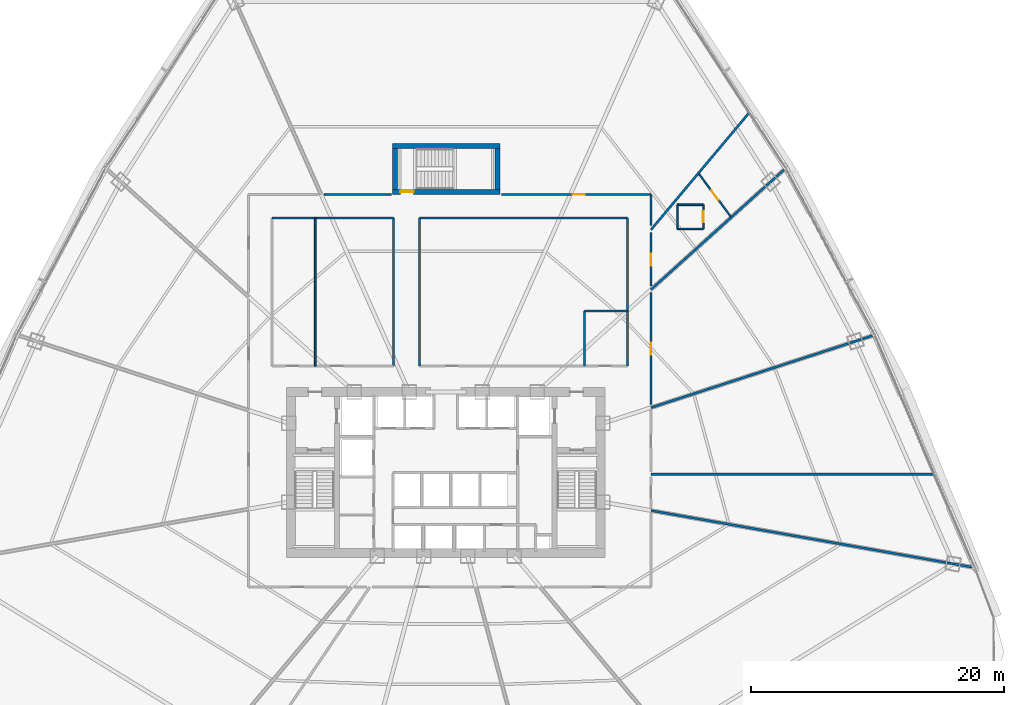
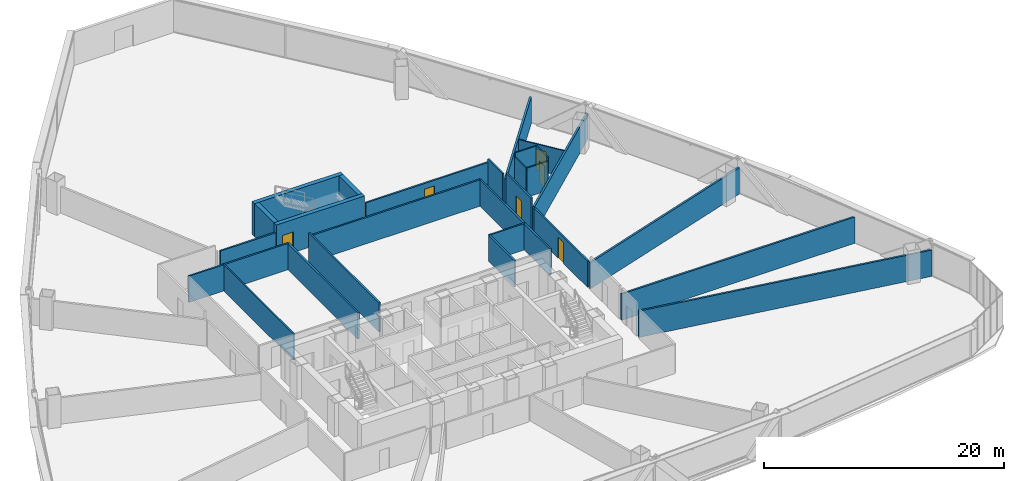
# One storey, part 37 of 42: 27 walls, 6 doors, 6 openings.
"""IFC4 building model written with IfcOpenShell, lengths in metres."""

import ifcopenshell
import ifcopenshell.guid

model = None  # the IFC model being written
_history = None  # IfcOwnerHistory: only IFC2X3 demands one
_inside = {}  # id of a spatial element -> (the spatial element, [elements in it])
_under = {}  # id of a project, library or spatial element -> (it, [spatial elements below it])
_declared = {}  # id of a project -> (the project, [libraries it declares])
_typed = {}  # id of a type object -> (the type object, [elements of that type])
_made_of = {}  # id of a material, layer set ... -> (it, [elements and type objects made of it])


def new_model(schema):
    """Start an empty IFC model of exactly this schema.

    Asked for "IFC4X3", IfcOpenShell would pick the latest addendum, in which some entities
    have other attributes; the version numbers below select the first issue.
    IFC2X3 requires an IfcOwnerHistory on every rooted entity: one is made here for all.
    """
    global model, _history
    if schema == "IFC4X3":
        model = ifcopenshell.file(schema_version=(4, 3, 0, 0))
    else:
        model = ifcopenshell.file(schema=schema)
    _inside.clear()
    _under.clear()
    _declared.clear()
    _typed.clear()
    _made_of.clear()
    _history = None
    if model.schema == "IFC2X3":
        org = make("IfcOrganization", Name="unknown")
        user = make(
            "IfcPersonAndOrganization",
            ThePerson=make("IfcPerson", FamilyName="unknown"),
            TheOrganization=org,
        )
        app = make(
            "IfcApplication",
            ApplicationDeveloper=org,
            Version="unknown",
            ApplicationFullName="unknown",
            ApplicationIdentifier="unknown",
        )
        _history = make(
            "IfcOwnerHistory",
            OwningUser=user,
            OwningApplication=app,
            ChangeAction="ADDED",
            CreationDate=0,
        )
    return model


def make(cls, **values):
    """One entity of the class cls with the attributes given. An attribute that is None is left unset."""
    return model.create_entity(
        cls, **{name: value for name, value in values.items() if value is not None}
    )


def rooted(cls, **values):
    """An entity with a GlobalId (a new one), such as an element, a storey or a relation."""
    return make(cls, GlobalId=ifcopenshell.guid.new(), OwnerHistory=_history, **values)


def si_unit(unit_type, name, prefix=None):
    """IfcSIUnit, for example si_unit("LENGTHUNIT", "METRE", prefix="MILLI")."""
    return make("IfcSIUnit", UnitType=unit_type, Prefix=prefix, Name=name)


def assignment(units):
    """IfcUnitAssignment: the units of a project."""
    return None if units is None else make("IfcUnitAssignment", Units=units)


def point(xyz):
    """IfcCartesianPoint."""
    return None if xyz is None else make("IfcCartesianPoint", Coordinates=xyz)


def direction(xyz):
    """IfcDirection."""
    return None if xyz is None else make("IfcDirection", DirectionRatios=xyz)


def frame(location, z_axis=None, x_axis=None):
    """IfcAxis2Placement3D, a coordinate frame: its origin and axes. An axis left out is left unset."""
    return make(
        "IfcAxis2Placement3D",
        Location=point(location),
        Axis=direction(z_axis),
        RefDirection=direction(x_axis),
    )


def frame_2d(location, x_axis=None):
    """IfcAxis2Placement2D, a coordinate frame in the plane: its origin and x axis."""
    return make(
        "IfcAxis2Placement2D", Location=point(location), RefDirection=direction(x_axis)
    )


def origin():
    """The frame at (0, 0, 0) with its axes left unset."""
    return frame((0.0, 0.0, 0.0))


def origin_with_axes():
    """The frame at (0, 0, 0) with the z axis (0, 0, 1) and the x axis (1, 0, 0) written out."""
    return frame((0.0, 0.0, 0.0), z_axis=(0.0, 0.0, 1.0), x_axis=(1.0, 0.0, 0.0))


def place(relative_to, where):
    """IfcLocalPlacement: puts the frame where relative to a parent placement (None: the world)."""
    return make(
        "IfcLocalPlacement", PlacementRelTo=relative_to, RelativePlacement=where
    )


def context(
    kind, dimensions, precision=None, world=None, true_north=None, identifier=None
):
    """IfcGeometricRepresentationContext, for example the 3D "Model" context."""
    return make(
        "IfcGeometricRepresentationContext",
        ContextIdentifier=identifier,
        ContextType=kind,
        CoordinateSpaceDimension=dimensions,
        Precision=precision,
        WorldCoordinateSystem=world,
        TrueNorth=true_north,
    )


def subcontext(parent, identifier, kind, view, scale=None):
    """IfcGeometricRepresentationSubContext, for example "Body" below "Model"."""
    return make(
        "IfcGeometricRepresentationSubContext",
        ContextIdentifier=identifier,
        ContextType=kind,
        ParentContext=parent,
        TargetScale=scale,
        TargetView=view,
    )


def project(units=None, contexts=None):
    """IfcProject with its units and contexts."""
    return rooted(
        "IfcProject",
        Name="project",
        RepresentationContexts=contexts,
        UnitsInContext=assignment(units),
    )


def spatial(cls, under=None, at=None, **own):
    """A site, building, storey or space (cls), placed at a placement, below another one or the project."""
    s = rooted(cls, ObjectPlacement=at, **own)
    if under is not None:
        _under.setdefault(under.id(), (under, []))[1].append(s)
    return s


def profile(cls, at=None, kind="AREA", **sizes):
    """A parametric profile (cls). Its sizes go by their IFC names, for example OverallWidth=200.0."""
    return make(cls, ProfileType=kind, Position=at, **sizes)


def rectangle(**sizes):
    """IfcRectangleProfileDef."""
    return profile("IfcRectangleProfileDef", **sizes)


def extrude(swept, where, along, depth):
    """IfcExtrudedAreaSolid: the profile swept, set in the frame where, extruded along a direction by depth."""
    return make(
        "IfcExtrudedAreaSolid",
        SweptArea=swept,
        Position=where,
        ExtrudedDirection=direction(along),
        Depth=depth,
    )


def shape(context_of_items, identifier, shape_type, items):
    """IfcShapeRepresentation: the items that make up one representation, for example the "Body"."""
    return make(
        "IfcShapeRepresentation",
        ContextOfItems=context_of_items,
        RepresentationIdentifier=identifier,
        RepresentationType=shape_type,
        Items=items,
    )


def source(mapping_origin, context_of_items, identifier, shape_type, items):
    """IfcRepresentationMap: a shape defined once, which mapped items show again and again."""
    return make(
        "IfcRepresentationMap",
        MappingOrigin=mapping_origin,
        MappedRepresentation=shape(context_of_items, identifier, shape_type, items),
    )


def transform(
    local_origin,
    x_axis=None,
    y_axis=None,
    z_axis=None,
    scale=None,
    scale2=None,
    scale3=None,
    uniform=True,
):
    """IfcCartesianTransformationOperator3D, or its non-uniform kind. x_axis, y_axis, z_axis: its Axis1, 2, 3."""
    if uniform:
        return make(
            "IfcCartesianTransformationOperator3D",
            Axis1=direction(x_axis),
            Axis2=direction(y_axis),
            LocalOrigin=point(local_origin),
            Scale=scale,
            Axis3=direction(z_axis),
        )
    return make(
        "IfcCartesianTransformationOperator3DnonUniform",
        Axis1=direction(x_axis),
        Axis2=direction(y_axis),
        LocalOrigin=point(local_origin),
        Scale=scale,
        Axis3=direction(z_axis),
        Scale2=scale2,
        Scale3=scale3,
    )


def mapped(mapping_source, mapping_target):
    """IfcMappedItem: shows the shape of a source again, moved by a transform."""
    return make(
        "IfcMappedItem", MappingSource=mapping_source, MappingTarget=mapping_target
    )


def material(Name=None, Category=None):
    """IfcMaterial."""
    return make("IfcMaterial", Name=Name, Category=Category)


def layer(
    of_material, thickness, ventilated=None, Name=None, Category=None, Priority=None
):
    """IfcMaterialLayer: one layer of a wall or slab, of a material (None: an air gap)."""
    return make(
        "IfcMaterialLayer",
        Material=of_material,
        LayerThickness=thickness,
        IsVentilated=ventilated,
        Name=Name,
        Category=Category,
        Priority=Priority,
    )


def layer_set(layers, Name=None):
    """IfcMaterialLayerSet."""
    return make("IfcMaterialLayerSet", MaterialLayers=layers, LayerSetName=Name)


def made_of(thing, what):
    """Note that an element or type object is made of a material, layer set ...; save() writes the relation."""
    if what is not None:
        _made_of.setdefault(what.id(), (what, []))[1].append(thing)
    return thing


def type_object(cls, material=None, **own):
    """A type object (cls), such as IfcWallType, which elements share."""
    return made_of(rooted(cls, **own), material)


def element(
    cls,
    number,
    at=None,
    inside=None,
    cuts=None,
    type_object=None,
    material=None,
    context=None,
    identifier="Body",
    shape_type=None,
    held_by="IfcProductDefinitionShape",
    body=None,
    shapes=None,
    **own,
):
    """One element of the class cls, such as IfcWall. Its Tag is "e" and its number.

    at: its placement. inside: the storey or other place that contains it. cuts: it is an
    opening in that element (IfcRelVoidsElement). A single representation is given by context,
    identifier, shape_type and body (its items); several are given by shapes. held_by: the class
    of the entity that holds the representations. save() writes the other relations.
    """
    e = rooted(cls, Tag="e%d" % number, ObjectPlacement=at, **own)
    if body is not None:
        shapes = [shape(context, identifier, shape_type, body)]
    if shapes is not None:
        e.Representation = make(held_by, Representations=shapes)
    if inside is not None:
        _inside.setdefault(inside.id(), (inside, []))[1].append(e)
    if cuts is not None:
        rooted(
            "IfcRelVoidsElement", RelatingBuildingElement=cuts, RelatedOpeningElement=e
        )
    if type_object is not None:
        _typed.setdefault(type_object.id(), (type_object, []))[1].append(e)
    return made_of(e, material)


def fill(opening, filler):
    """IfcRelFillsElement: the door or window that sits in an opening."""
    return rooted(
        "IfcRelFillsElement",
        RelatingOpeningElement=opening,
        RelatedBuildingElement=filler,
    )


def aggregate(whole, parts):
    """IfcRelAggregates: a whole, such as a stair, and the parts it consists of."""
    return rooted("IfcRelAggregates", RelatingObject=whole, RelatedObjects=parts)


def save(model, path):
    """Write the relations noted so far, then the file.

    IfcRelAggregates (storeys below a building ...), IfcRelContainedInSpatialStructure (elements
    in a storey), IfcRelDefinesByType, IfcRelAssociatesMaterial and IfcRelDeclares: one each for
    every whole, place, type object, material and project.
    """
    for whole, parts in _under.values():
        aggregate(whole, parts)
    for where, things in _inside.values():
        rooted(
            "IfcRelContainedInSpatialStructure",
            RelatedElements=things,
            RelatingStructure=where,
        )
    for kind, things in _typed.values():
        rooted("IfcRelDefinesByType", RelatedObjects=things, RelatingType=kind)
    for what, things in _made_of.values():
        rooted("IfcRelAssociatesMaterial", RelatedObjects=things, RelatingMaterial=what)
    for by, libraries in _declared.values():
        rooted("IfcRelDeclares", RelatingContext=by, RelatedDefinitions=libraries)
    model.write(path)


model = new_model("IFC4")

# Units and contexts
model_context = context("Model", 3, precision=1e-05, world=origin(), true_north=direction((0.0, 1.0)))
body_context = subcontext(model_context, "Body", "Model", "MODEL_VIEW")
ifc_project = project(units=[si_unit("LENGTHUNIT", "METRE"), si_unit("AREAUNIT", "SQUARE_METRE"), si_unit("VOLUMEUNIT", "CUBIC_METRE"), si_unit("PLANEANGLEUNIT", "RADIAN"), si_unit("MASSUNIT", "GRAM", prefix="KILO"), si_unit("THERMODYNAMICTEMPERATUREUNIT", "KELVIN"), si_unit("POWERUNIT", "WATT")], contexts=[model_context])

# Site, building, storey
site_placement = place(None, origin())
site = spatial("IfcSite", under=ifc_project, at=site_placement, CompositionType="ELEMENT")
building_placement = place(site_placement, origin())
building = spatial("IfcBuilding", under=site, at=building_placement, Name="Yunzhuo Pagoda Commons", CompositionType="ELEMENT")
storey_placement = place(building_placement, frame((0.0, 0.0, 44.919921875)))
storey = spatial("IfcBuildingStorey", under=building, at=storey_placement, Name="L11", CompositionType="ELEMENT", Elevation=44.919921875)

# Walls
ifc_material_1 = material(Name="Gypsum plasterboard on acoustic stud")
ifc_layer_1 = layer(ifc_material_1, 0.159912109375)
ifc_layer_set_1 = layer_set([ifc_layer_1], Name="Gypsum plasterboard on acoustic stud")
wall_type_1 = type_object("IfcWallType", Name="W-COR1 Tower Rated Corridor Wall 160", PredefinedType="PARTITIONING", material=ifc_layer_set_1)
wall_1_placement = place(storey_placement, frame((34.300048828125, 53.949951171875, 0.0), z_axis=(0.0, 0.0, 1.0), x_axis=(1.0, 0.0, 0.0)))
element("IfcWall", 1, at=wall_1_placement, inside=storey, type_object=wall_type_1, Name="L11 interior wall IW-L11-ISLWN", PredefinedType="PARTITIONING", context=body_context, shape_type="SweptSolid", body=[
    extrude(rectangle(XDim=9.579833984375, YDim=0.159912109375, at=frame_2d((4.7900390625, 0.0))), origin(), (0.0, 0.0, 1.0), 2.670166015625),
])
wall_2_placement = place(storey_placement, frame((43.8798828125, 42.25, 0.0), z_axis=(0.0, 0.0, 1.0), x_axis=(0.0, 1.0, 0.0)))
element("IfcWall", 2, at=wall_2_placement, inside=storey, type_object=wall_type_1, Name="L11 interior wall IW-L11-ISLWE", PredefinedType="PARTITIONING", context=body_context, shape_type="SweptSolid", body=[
    extrude(rectangle(XDim=11.699951171875, YDim=0.159912109375, at=frame_2d((5.85009765625, 0.0))), origin(), (0.0, 0.0, 1.0), 2.670166015625),
])
wall_3_placement = place(storey_placement, frame((45.919921875, 53.949951171875, 0.0), z_axis=(0.0, 0.0, 1.0), x_axis=(1.0, 0.0, 0.0)))
element("IfcWall", 3, at=wall_3_placement, inside=storey, type_object=wall_type_1, Name="L11 interior wall IW-L11-ISLEN", PredefinedType="PARTITIONING", context=body_context, shape_type="SweptSolid", body=[
    extrude(rectangle(XDim=16.43017578125, YDim=0.159912109375, at=frame_2d((8.215087890625, 0.0))), origin(), (0.0, 0.0, 1.0), 2.670166015625),
])
wall_4_placement = place(storey_placement, frame((45.919921875, 42.25, 0.0), z_axis=(0.0, 0.0, 1.0), x_axis=(0.0, 1.0, 0.0)))
element("IfcWall", 4, at=wall_4_placement, inside=storey, type_object=wall_type_1, Name="L11 interior wall IW-L11-ISLEW", PredefinedType="PARTITIONING", context=body_context, shape_type="SweptSolid", body=[
    extrude(rectangle(XDim=11.699951171875, YDim=0.159912109375, at=frame_2d((5.85009765625, 0.0))), origin(), (0.0, 0.0, 1.0), 2.969970703125),
])
wall_5_placement = place(storey_placement, frame((62.35009765625, 42.25, 0.0), z_axis=(0.0, 0.0, 1.0), x_axis=(0.0, 1.0, 0.0)))
element("IfcWall", 5, at=wall_5_placement, inside=storey, type_object=wall_type_1, Name="L11 interior wall IW-L11-ISLEE", PredefinedType="PARTITIONING", context=body_context, shape_type="SweptSolid", body=[
    extrude(rectangle(XDim=11.699951171875, YDim=0.159912109375, at=frame_2d((5.85009765625, 0.0))), origin(), (0.0, 0.0, 1.0), 2.670166015625),
])
wall_6_placement = place(storey_placement, frame((58.949951171875, 42.25, 0.0), z_axis=(0.0, 0.0, 1.0), x_axis=(0.0, 1.0, 0.0)))
element("IfcWall", 6, at=wall_6_placement, inside=storey, type_object=wall_type_1, Name="L11 interior wall IW-L11-ISL2W", PredefinedType="PARTITIONING", context=body_context, shape_type="SweptSolid", body=[
    extrude(rectangle(XDim=4.35009765625, YDim=0.159912109375, at=frame_2d((2.175048828125, 0.0))), origin(), (0.0, 0.0, 1.0), 2.670166015625),
])
wall_7_placement = place(storey_placement, frame((58.949951171875, 46.60009765625, 0.0), z_axis=(0.0, 0.0, 1.0), x_axis=(1.0, 0.0, 0.0)))
element("IfcWall", 7, at=wall_7_placement, inside=storey, type_object=wall_type_1, Name="L11 interior wall IW-L11-ISL2N", PredefinedType="PARTITIONING", context=body_context, shape_type="SweptSolid", body=[
    extrude(rectangle(XDim=3.400146484375, YDim=0.159912109375, at=frame_2d((1.7001953125, 0.0))), origin(), (0.0, 0.0, 1.0), 2.670166015625),
])
wall_8_placement = place(storey_placement, frame((38.380126953125, 55.800048828125, 0.0), z_axis=(0.0, 0.0, 1.0), x_axis=(1.0, 0.0, 0.0)))
element("IfcWall", 8, at=wall_8_placement, inside=storey, type_object=wall_type_1, Name="L11 interior wall IW-L11-CWL06", PredefinedType="PARTITIONING", context=body_context, shape_type="SweptSolid", body=[
    extrude(rectangle(XDim=5.328857421875, YDim=0.159912109375, at=frame_2d((2.66455078125, 0.0))), origin(), (0.0, 0.0, 1.0), 2.670166015625),
])

# Wall, opening, door
wall_9_placement = place(storey_placement, frame((52.39111328125, 55.800048828125, 0.0), z_axis=(0.0, 0.0, 1.0), x_axis=(1.0, 0.0, 0.0)))
wall_9 = element("IfcWall", 9, at=wall_9_placement, inside=storey, type_object=wall_type_1, Name="L11 interior wall IW-L11-CWL07", PredefinedType="PARTITIONING", context=body_context, shape_type="SweptSolid", body=[
    extrude(rectangle(XDim=11.808837890625, YDim=0.159912109375, at=frame_2d((5.904296875, 0.0))), origin(), (0.0, 0.0, 1.0), 2.670166015625),
])
opening_1_placement = place(wall_9_placement, frame((5.623779296875, 0.0, 0.0)))
opening_1 = element("IfcOpeningElement", 10, at=opening_1_placement, cuts=wall_9, Name="Opening D-06", PredefinedType="OPENING", context=body_context, shape_type="SweptSolid", body=[
    extrude(rectangle(XDim=0.949951171875, YDim=2.10009765625, at=frame_2d((0.47509765625, 1.050048828125))), frame((0.0, 0.08984375, 0.0), z_axis=(0.0, -1.0, 0.0), x_axis=(1.0, 0.0, 0.0)), (0.0, 0.0, 1.0), 0.179931640625),
])
ifc_material_2 = material(Name="Galvanized fire-resisting metal leaf")
door_type_1 = type_object("IfcDoorType", Name="D-06 Co-Living Suite Entrance Fire Door 950x2100", OperationType="NOTDEFINED", PredefinedType="DOOR", material=ifc_material_2)
shared_shape_1 = source(origin(), body_context, "Body", "SweptSolid", [
    extrude(rectangle(XDim=0.949951171875, YDim=2.10009765625, at=frame_2d((0.47509765625, 1.050048828125))), frame((0.0, 0.02490234375, 0.0), z_axis=(0.0, -1.0, 0.0), x_axis=(1.0, 0.0, 0.0)), (0.0, 0.0, 1.0), 0.050048828125),
])
door_1_placement = place(opening_1_placement, origin_with_axes())
door_1 = element("IfcDoor", 11, at=door_1_placement, inside=storey, type_object=door_type_1, Name="L11 Shared Resident Kitchen and Pantry door", OperationType="SINGLE_SWING_LEFT", OverallHeight=2.10009765625, OverallWidth=0.949951171875, PredefinedType="DOOR", context=body_context, shape_type="MappedRepresentation", body=[
    mapped(shared_shape_1, transform((0.0, 0.0, 0.0), scale=1.0)),
])
fill(opening_1, door_1)

# Wall
wall_10_placement = place(storey_placement, frame((64.199951171875, 55.800048828125, 0.0), z_axis=(0.0, 0.0, 1.0), x_axis=(0.0, -1.0, 0.0)))
element("IfcWall", 12, at=wall_10_placement, inside=storey, type_object=wall_type_1, Name="L11 interior wall IW-L11-CWL08", PredefinedType="PARTITIONING", context=body_context, shape_type="SweptSolid", body=[
    extrude(rectangle(XDim=2.451416015625, YDim=0.159912109375, at=frame_2d((1.2255859375, 0.0))), origin(), (0.0, 0.0, 1.0), 2.969970703125),
])

# Wall, opening, door
wall_11_placement = place(storey_placement, frame((64.199951171875, 52.78662109375, 0.0), z_axis=(0.0, 0.0, 1.0), x_axis=(0.0, -1.0, 0.0)))
wall_11 = element("IfcWall", 13, at=wall_11_placement, inside=storey, type_object=wall_type_1, Name="L11 interior wall IW-L11-CWL09", PredefinedType="PARTITIONING", context=body_context, shape_type="SweptSolid", body=[
    extrude(rectangle(XDim=4.2041015625, YDim=0.159912109375, at=frame_2d((2.10205078125, 0.0))), origin(), (0.0, 0.0, 1.0), 3.3701171875),
])
opening_2_placement = place(wall_11_placement, frame((1.6650390625, 0.0, 0.0)))
opening_2 = element("IfcOpeningElement", 14, at=opening_2_placement, cuts=wall_11, Name="Opening D-06", PredefinedType="OPENING", context=body_context, shape_type="SweptSolid", body=[
    extrude(rectangle(XDim=0.949951171875, YDim=2.10009765625, at=frame_2d((0.47509765625, 1.050048828125))), frame((0.0, 0.08984375, 0.0), z_axis=(0.0, -1.0, 0.0), x_axis=(1.0, 0.0, 0.0)), (0.0, 0.0, 1.0), 0.179931640625),
])
door_2_placement = place(opening_2_placement, origin_with_axes())
door_2 = element("IfcDoor", 15, at=door_2_placement, inside=storey, type_object=door_type_1, Name="L11 unit 03 entrance door", OperationType="SINGLE_SWING_RIGHT", OverallHeight=2.10009765625, OverallWidth=0.949951171875, PredefinedType="DOOR", context=body_context, shape_type="MappedRepresentation", body=[
    mapped(shared_shape_1, transform((0.0, 0.0, 0.0), scale=1.0)),
])
fill(opening_2, door_2)

wall_12_placement = place(storey_placement, frame((64.199951171875, 48.06689453125, 0.0), z_axis=(0.0, 0.0, 1.0), x_axis=(0.0, -1.0, 0.0)))
wall_12 = element("IfcWall", 16, at=wall_12_placement, inside=storey, type_object=wall_type_1, Name="L11 interior wall IW-L11-CWL10", PredefinedType="PARTITIONING", context=body_context, shape_type="SweptSolid", body=[
    extrude(rectangle(XDim=8.871826171875, YDim=0.159912109375, at=frame_2d((4.43603515625, 0.0))), origin(), (0.0, 0.0, 1.0), 2.670166015625),
])
opening_3_placement = place(wall_12_placement, frame((3.966796875, 0.0, 0.0)))
opening_3 = element("IfcOpeningElement", 17, at=opening_3_placement, cuts=wall_12, Name="Opening D-06", PredefinedType="OPENING", context=body_context, shape_type="SweptSolid", body=[
    extrude(rectangle(XDim=0.949951171875, YDim=2.10009765625, at=frame_2d((0.47509765625, 1.050048828125))), frame((0.0, 0.08984375, 0.0), z_axis=(0.0, -1.0, 0.0), x_axis=(1.0, 0.0, 0.0)), (0.0, 0.0, 1.0), 0.179931640625),
])
door_3_placement = place(opening_3_placement, origin_with_axes())
door_3 = element("IfcDoor", 18, at=door_3_placement, inside=storey, type_object=door_type_1, Name="L11 unit 02 entrance door", OperationType="SINGLE_SWING_LEFT", OverallHeight=2.10009765625, OverallWidth=0.949951171875, PredefinedType="DOOR", context=body_context, shape_type="MappedRepresentation", body=[
    mapped(shared_shape_1, transform((0.0, 0.0, 0.0), scale=1.0)),
])
fill(opening_3, door_3)

# Walls
ifc_layer_2 = layer(ifc_material_1, 0.1201171875)
ifc_layer_set_2 = layer_set([ifc_layer_2], Name="Gypsum plasterboard on acoustic stud")
wall_type_2 = type_object("IfcWallType", Name="W-PRT1 Suite & Bathroom Partition 120", PredefinedType="PARTITIONING", material=ifc_layer_set_2)
wall_13_placement = place(storey_placement, frame((37.699951171875, 42.25, 0.0), z_axis=(0.0, 0.0, 1.0), x_axis=(0.0, 1.0, 0.0)))
element("IfcWall", 19, at=wall_13_placement, inside=storey, type_object=wall_type_2, Name="L11 interior wall IW-L11-ISLW1", PredefinedType="PARTITIONING", context=body_context, shape_type="SweptSolid", body=[
    extrude(rectangle(XDim=11.699951171875, YDim=0.1201171875, at=frame_2d((5.85009765625, 0.0))), origin(), (0.0, 0.0, 1.0), 2.670166015625),
])
wall_14_placement = place(storey_placement, frame((66.27490234375, 53.076904296875, 0.0), z_axis=(0.0, 0.0, 1.0), x_axis=(1.0, 0.0, 0.0)))
element("IfcWall", 20, at=wall_14_placement, inside=storey, type_object=wall_type_2, Name="L11 interior wall IW-L11-B03S", PredefinedType="PARTITIONING", context=body_context, shape_type="SweptSolid", body=[
    extrude(rectangle(XDim=2.050048828125, YDim=0.1201171875, at=frame_2d((1.02490234375, 0.0))), origin(), (0.0, 0.0, 1.0), 2.969970703125),
])

# Wall, opening, door
wall_15_placement = place(storey_placement, frame((68.324951171875, 53.076904296875, 0.0), z_axis=(0.0, 0.0, 1.0), x_axis=(0.0, 1.0, 0.0)))
wall_15 = element("IfcWall", 21, at=wall_15_placement, inside=storey, type_object=wall_type_2, Name="L11 interior wall IW-L11-B03E", PredefinedType="PARTITIONING", context=body_context, shape_type="SweptSolid", body=[
    extrude(rectangle(XDim=1.900146484375, YDim=0.1201171875, at=frame_2d((0.9501953125, 0.0))), origin(), (0.0, 0.0, 1.0), 3.3701171875),
])
opening_4_placement = place(wall_15_placement, frame((0.52490234375, 0.0, 0.0)))
opening_4 = element("IfcOpeningElement", 22, at=opening_4_placement, cuts=wall_15, Name="Opening D-05", PredefinedType="OPENING", context=body_context, shape_type="SweptSolid", body=[
    extrude(rectangle(XDim=0.85009765625, YDim=2.10009765625, at=frame_2d((0.425048828125, 1.050048828125))), frame((0.0, 0.070068359375, 0.0), z_axis=(0.0, -1.0, 0.0), x_axis=(1.0, 0.0, 0.0)), (0.0, 0.0, 1.0), 0.14013671875),
])
ifc_material_3 = material(Name="Powder-coated aluminium and timber acoustic leaf", Category="wood")
door_type_2 = type_object("IfcDoorType", Name="D-05 En-Suite Bathroom Door 850x2100", OperationType="NOTDEFINED", PredefinedType="DOOR", material=ifc_material_3)
shared_shape_2 = source(origin(), body_context, "Body", "SweptSolid", [
    extrude(rectangle(XDim=0.85009765625, YDim=2.10009765625, at=frame_2d((0.425048828125, 1.050048828125))), frame((0.0, 0.02490234375, 0.0), z_axis=(0.0, -1.0, 0.0), x_axis=(1.0, 0.0, 0.0)), (0.0, 0.0, 1.0), 0.050048828125),
])
door_4_placement = place(opening_4_placement, frame((0.85009765625, 0.0, 0.0), z_axis=(0.0, 0.0, 1.0), x_axis=(-1.0, 0.0, 0.0)))
door_4 = element("IfcDoor", 23, at=door_4_placement, inside=storey, type_object=door_type_2, Name="L11 unit 03 bathroom door", OperationType="SINGLE_SWING_RIGHT", OverallHeight=2.10009765625, OverallWidth=0.85009765625, PredefinedType="DOOR", context=body_context, shape_type="MappedRepresentation", body=[
    mapped(shared_shape_2, transform((0.0, 0.0, 0.0), scale=1.0)),
])
fill(opening_4, door_4)

# Walls
wall_16_placement = place(storey_placement, frame((68.324951171875, 54.97705078125, 0.0), z_axis=(0.0, 0.0, 1.0), x_axis=(-1.0, 0.0, 0.0)))
element("IfcWall", 24, at=wall_16_placement, inside=storey, type_object=wall_type_2, Name="L11 interior wall IW-L11-B03N", PredefinedType="PARTITIONING", context=body_context, shape_type="SweptSolid", body=[
    extrude(rectangle(XDim=2.050048828125, YDim=0.1201171875, at=frame_2d((1.02490234375, 0.0))), origin(), (0.0, 0.0, 1.0), 3.3701171875),
])
wall_17_placement = place(storey_placement, frame((66.27490234375, 54.97705078125, 0.0), z_axis=(0.0, 0.0, 1.0), x_axis=(0.0, -1.0, 0.0)))
element("IfcWall", 25, at=wall_17_placement, inside=storey, type_object=wall_type_2, Name="L11 interior wall IW-L11-B03W", PredefinedType="PARTITIONING", context=body_context, shape_type="SweptSolid", body=[
    extrude(rectangle(XDim=1.900146484375, YDim=0.1201171875, at=frame_2d((0.9501953125, 0.0))), origin(), (0.0, 0.0, 1.0), 2.969970703125),
])

# Wall, opening, door
wall_18_placement = place(storey_placement, frame((70.500732421875, 54.040283203125, 0.0), z_axis=(0.0, 0.0, 1.0), x_axis=(-0.599443526822, 0.800417052636, 0.0)))
wall_18 = element("IfcWall", 26, at=wall_18_placement, inside=storey, type_object=wall_type_2, Name="L11 interior wall IW-L11-CLB03", PredefinedType="PARTITIONING", context=body_context, shape_type="SweptSolid", body=[
    extrude(rectangle(XDim=4.212890625, YDim=0.1201171875, at=frame_2d((2.1064453125, 0.0))), origin(), (0.0, 0.0, 1.0), 2.670166015625),
])
opening_5_placement = place(wall_18_placement, frame((1.646484375, 0.0, 0.0)))
opening_5 = element("IfcOpeningElement", 27, at=opening_5_placement, cuts=wall_18, Name="Opening D-04", PredefinedType="OPENING", context=body_context, shape_type="SweptSolid", body=[
    extrude(rectangle(XDim=0.919921875, YDim=2.10009765625, at=frame_2d((0.4599609375, 1.050048828125))), frame((0.0, 0.070068359375, 0.0), z_axis=(0.0, -1.0, 0.0), x_axis=(1.0, 0.0, 0.0)), (0.0, 0.0, 1.0), 0.14013671875),
])
door_type_3 = type_object("IfcDoorType", Name="D-04 Bedroom & Study Interior Door 920x2100", OperationType="NOTDEFINED", PredefinedType="DOOR", material=ifc_material_3)
shared_shape_3 = source(origin(), body_context, "Body", "SweptSolid", [
    extrude(rectangle(XDim=0.919921875, YDim=2.10009765625, at=frame_2d((0.4599609375, 1.050048828125))), frame((0.0, 0.02490234375, 0.0), z_axis=(0.0, -1.0, 0.0), x_axis=(1.0, 0.0, 0.0)), (0.0, 0.0, 1.0), 0.050048828125),
])
door_5_placement = place(opening_5_placement, origin_with_axes())
door_5 = element("IfcDoor", 28, at=door_5_placement, inside=storey, type_object=door_type_3, Name="L11 suite 03 bedroom door", OperationType="SINGLE_SWING_RIGHT", OverallHeight=2.10009765625, OverallWidth=0.919921875, PredefinedType="DOOR", context=body_context, shape_type="MappedRepresentation", body=[
    mapped(shared_shape_3, transform((0.0, 0.0, 0.0), scale=1.0)),
])
fill(opening_5, door_5)

# Walls
ifc_layer_3 = layer(ifc_material_1, 0.179931640625)
ifc_layer_set_3 = layer_set([ifc_layer_3], Name="Gypsum plasterboard on acoustic stud")
wall_type_3 = type_object("IfcWallType", Name="W-PRT2 Acoustic Unit Demising Wall 180", PredefinedType="PARTITIONING", material=ifc_layer_set_3)
wall_19_placement = place(storey_placement, frame((64.199951171875, 33.699951171875, 0.0), z_axis=(0.0, 0.0, 1.0), x_axis=(1.0, 0.0, 0.0)))
element("IfcWall", 29, at=wall_19_placement, inside=storey, type_object=wall_type_3, Name="L11 interior wall IW-L11-RAD01", PredefinedType="PARTITIONING", context=body_context, shape_type="SweptSolid", body=[
    extrude(rectangle(XDim=22.397705078125, YDim=0.179931640625, at=frame_2d((11.19873046875, 0.0))), origin(), (0.0, 0.0, 1.0), 2.670166015625),
])
wall_20_placement = place(storey_placement, frame((64.199951171875, 38.963623046875, 0.0), z_axis=(0.0, 0.0, 1.0), x_axis=(0.951055212532, 0.309021006915, 0.0)))
element("IfcWall", 30, at=wall_20_placement, inside=storey, type_object=wall_type_3, Name="L11 interior wall IW-L11-RAD02", PredefinedType="PARTITIONING", context=body_context, shape_type="SweptSolid", body=[
    extrude(rectangle(XDim=18.5810546875, YDim=0.179931640625, at=frame_2d((9.29052734375, 0.0))), origin(), (0.0, 0.0, 1.0), 2.670166015625),
])
wall_21_placement = place(storey_placement, frame((64.199951171875, 48.28662109375, 0.0), z_axis=(0.0, 0.0, 1.0), x_axis=(0.743156867614, 0.669117231969, 0.0)))
element("IfcWall", 31, at=wall_21_placement, inside=storey, type_object=wall_type_3, Name="L11 interior wall IW-L11-RAD03", PredefinedType="PARTITIONING", context=body_context, shape_type="SweptSolid", body=[
    extrude(rectangle(XDim=14.327392578125, YDim=0.179931640625, at=frame_2d((7.16357421875, 0.0))), origin(), (0.0, 0.0, 1.0), 2.670166015625),
])
wall_22_placement = place(storey_placement, frame((64.199951171875, 53.00634765625, 0.0), z_axis=(0.0, 0.0, 1.0), x_axis=(0.642786334534, 0.766045513098, 0.0)))
element("IfcWall", 32, at=wall_22_placement, inside=storey, type_object=wall_type_3, Name="L11 interior wall IW-L11-RAD04", PredefinedType="PARTITIONING", context=body_context, shape_type="SweptSolid", body=[
    extrude(rectangle(XDim=12.110107421875, YDim=0.179931640625, at=frame_2d((6.05517578125, 0.0))), origin(), (0.0, 0.0, 1.0), 2.670166015625),
])
wall_23_placement = place(storey_placement, frame((64.199951171875, 30.843505859375, 0.0), z_axis=(0.0, 0.0, 1.0), x_axis=(0.984807792045, -0.173647956302, 0.0)))
element("IfcWall", 33, at=wall_23_placement, inside=storey, type_object=wall_type_3, Name="L11 interior wall IW-L11-RAD13", PredefinedType="PARTITIONING", context=body_context, shape_type="SweptSolid", body=[
    extrude(rectangle(XDim=25.953857421875, YDim=0.179931640625, at=frame_2d((12.97705078125, 0.0))), origin(), (0.0, 0.0, 1.0), 2.670166015625),
])
ifc_material_4 = material(Name="Concrete C60", Category="concrete")
ifc_layer_4 = layer(ifc_material_4, 0.39990234375)
ifc_layer_set_4 = layer_set([ifc_layer_4], Name="Concrete C60")
wall_type_4 = type_object("IfcWallType", Name="W-S01 Internal Core Shear Web 400", PredefinedType="SHEAR", material=ifc_layer_set_4)
wall_24_placement = place(storey_placement, frame((43.800048828125, 59.60009765625, 0.0), z_axis=(0.0, 0.0, 1.0), x_axis=(1.0, 0.0, 0.0)))
element("IfcWall", 34, at=wall_24_placement, inside=storey, type_object=wall_type_4, Name="L11 ST3 structural stair wall N", PredefinedType="SHEAR", context=body_context, shape_type="SweptSolid", body=[
    extrude(rectangle(XDim=8.5, YDim=0.39990234375, at=frame_2d((4.25, 0.0))), origin(), (0.0, 0.0, 1.0), 3.3701171875),
])

# Wall, opening, door
wall_25_placement = place(storey_placement, frame((43.800048828125, 56.0, 0.0), z_axis=(0.0, 0.0, 1.0), x_axis=(1.0, 0.0, 0.0)))
wall_25 = element("IfcWall", 35, at=wall_25_placement, inside=storey, type_object=wall_type_4, Name="L11 ST3 structural stair wall S", PredefinedType="SHEAR", context=body_context, shape_type="SweptSolid", body=[
    extrude(rectangle(XDim=8.5, YDim=0.39990234375, at=frame_2d((4.25, 0.0))), origin(), (0.0, 0.0, 1.0), 3.3701171875),
])
opening_6_placement = place(wall_25_placement, frame((0.6201171875, 0.0, 0.0)))
opening_6 = element("IfcOpeningElement", 36, at=opening_6_placement, cuts=wall_25, Name="Opening D-01", PredefinedType="OPENING", context=body_context, shape_type="SweptSolid", body=[
    extrude(rectangle(XDim=1.050048828125, YDim=2.10009765625, at=frame_2d((0.52490234375, 1.050048828125))), frame((0.0, 0.2099609375, 0.0), z_axis=(0.0, -1.0, 0.0), x_axis=(1.0, 0.0, 0.0)), (0.0, 0.0, 1.0), 0.419921875),
])
door_type_4 = type_object("IfcDoorType", Name="D-01 Smokeproof Stair Fire Door 1050x2100", OperationType="NOTDEFINED", PredefinedType="DOOR", material=ifc_material_2)
shared_shape_4 = source(origin(), body_context, "Body", "SweptSolid", [
    extrude(rectangle(XDim=1.050048828125, YDim=2.10009765625, at=frame_2d((0.52490234375, 1.050048828125))), frame((0.0, 0.02490234375, 0.0), z_axis=(0.0, -1.0, 0.0), x_axis=(1.0, 0.0, 0.0)), (0.0, 0.0, 1.0), 0.050048828125),
])
door_6_placement = place(opening_6_placement, frame((1.050048828125, 0.0, 0.0), z_axis=(0.0, 0.0, 1.0), x_axis=(-1.0, 0.0, 0.0)))
door_6 = element("IfcDoor", 37, at=door_6_placement, inside=storey, type_object=door_type_4, Name="L11 Stair ST3 fire door", OperationType="SINGLE_SWING_LEFT", OverallHeight=2.10009765625, OverallWidth=1.050048828125, PredefinedType="DOOR", context=body_context, shape_type="MappedRepresentation", body=[
    mapped(shared_shape_4, transform((0.0, 0.0, 0.0), scale=1.0)),
])
fill(opening_6, door_6)

# Walls
for number, where, z_axis, x_axis, name in (
    (38, (44.0, 56.199951171875, 0.0), (0.0, 0.0, 1.0), (0.0, 1.0, 0.0), "L11 ST3 structural stair wall W"),
    (39, (52.10009765625, 56.199951171875, 0.0), (0.0, 0.0, 1.0), (0.0, 1.0, 0.0), "L11 ST3 structural stair wall E"),
):
    element("IfcWall", number, at=place(storey_placement, frame(where, z_axis=z_axis, x_axis=x_axis)), inside=storey, type_object=wall_type_4, Name=name, PredefinedType="SHEAR", context=body_context, shape_type="SweptSolid", body=[
        extrude(rectangle(XDim=3.199951171875, YDim=0.39990234375, at=frame_2d((1.60009765625, 0.0))), origin(), (0.0, 0.0, 1.0), 3.3701171875),
    ])

save(model, "model.ifc")
